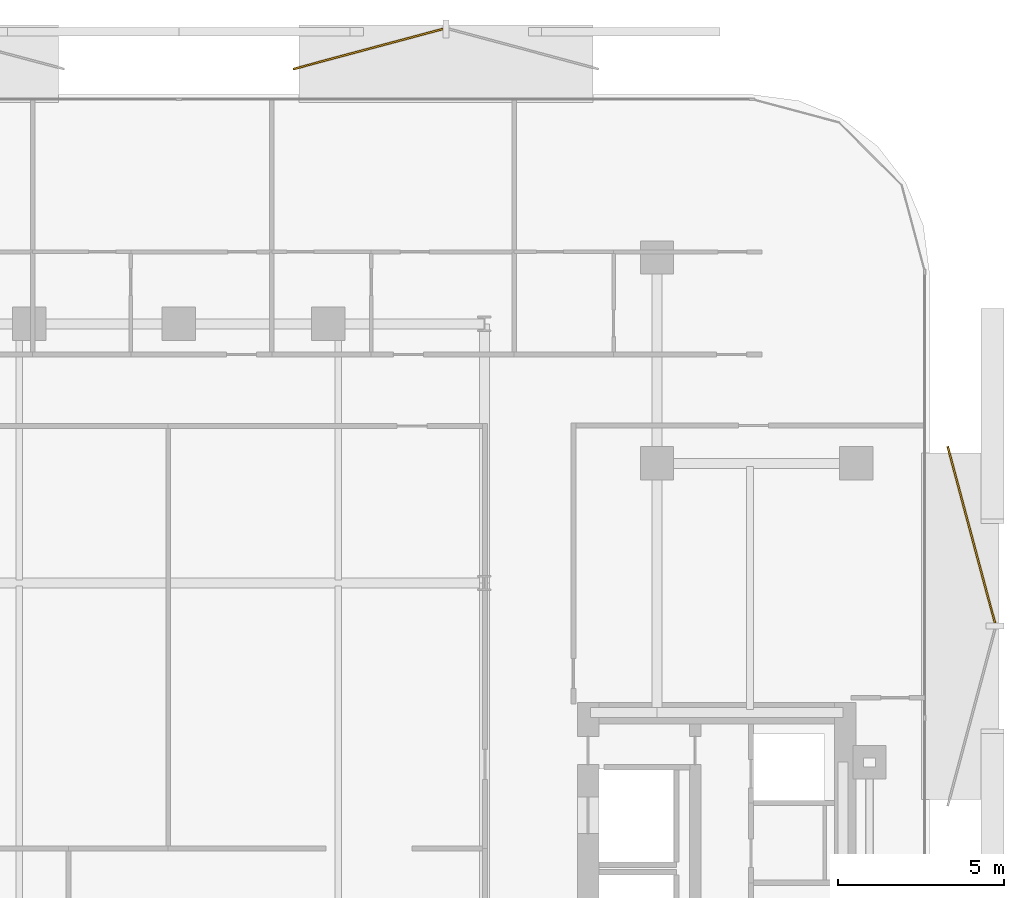
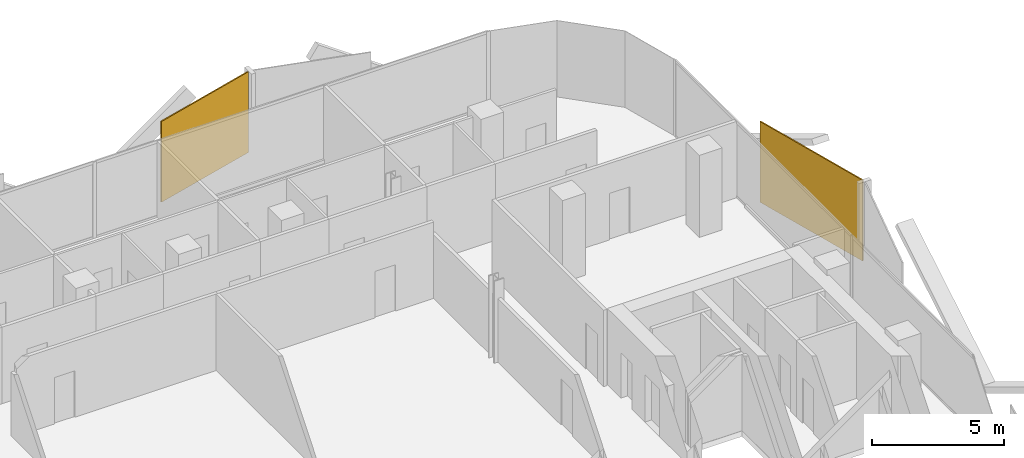
# One storey, part 17 of 17: 2 coverings.
"""IFC4 building model written with IfcOpenShell, lengths in metres."""

from ifc_helpers import new_model, si_unit, direction, frame, origin, origin_2d, place, context, subcontext, project, spatial, rectangle, extrude, material, layer, layer_set, type_object, element, save


model = new_model("IFC4")

# Units and contexts
model_context = context("Model", 3, precision=1e-05, world=origin(), true_north=direction((0.0, 1.0)))
body_context = subcontext(model_context, "Body", "Model", "MODEL_VIEW")
ifc_project = project(units=[si_unit("LENGTHUNIT", "METRE"), si_unit("AREAUNIT", "SQUARE_METRE"), si_unit("VOLUMEUNIT", "CUBIC_METRE"), si_unit("PLANEANGLEUNIT", "RADIAN"), si_unit("MASSUNIT", "GRAM", prefix="KILO")], contexts=[model_context])

# Site, building, storey
site_placement = place(None, origin())
site = spatial("IfcSite", under=ifc_project, at=site_placement, CompositionType="ELEMENT")
building_placement = place(site_placement, origin())
building = spatial("IfcBuilding", under=site, at=building_placement, Name="Khairoan Windgate Tower", CompositionType="ELEMENT")
storey_placement = place(building_placement, frame((0.0, 0.0, 195.39990234375)))
storey = spatial("IfcBuildingStorey", under=building, at=storey_placement, Name="L45", CompositionType="ELEMENT", Elevation=195.39990234375)

# Coverings
ifc_material = material(Name="Anodised Bronze Aluminium 6063-T6", Category="aluminium")
ifc_layer = layer(ifc_material, 0.054931640625, Name="Anodised Bronze Aluminium 6063-T6")
ifc_layer_set = layer_set([ifc_layer], Name="Anodised Bronze Aluminium 6063-T6")
covering_type = type_object("IfcCoveringType", Name="Perforated Bronze-Ceramic Folded Solar Screen Cladding BSC-1", PredefinedType="CLADDING", material=ifc_layer_set)
covering_1_placement = place(storey_placement, frame((5.701904296875, 26.876220703125, -0.10009765625), z_axis=(0.0, 0.0, 1.0), x_axis=(0.965925826289, 0.258819045103, 0.0)))
element("IfcCovering", 1, at=covering_1_placement, inside=storey, type_object=covering_type, Name="L45 Folded Bronze Solar Screen Facet 302L", PredefinedType="CLADDING", context=body_context, shape_type="SweptSolid", body=[
    extrude(rectangle(XDim=4.666015625, YDim=0.054931640625, at=origin_2d()), origin(), (0.0, 0.0, 1.0), 3.739990234375),
])
covering_2_placement = place(storey_placement, frame((23.8671875, 12.2451171875, -0.10009765625), z_axis=(0.0, 0.0, 1.0), x_axis=(0.258819045103, -0.965925826289, 0.0)))
element("IfcCovering", 2, at=covering_2_placement, inside=storey, type_object=covering_type, Name="L45 Folded Bronze Solar Screen Facet 303L", PredefinedType="CLADDING", context=body_context, shape_type="SweptSolid", body=[
    extrude(rectangle(XDim=5.507080078125, YDim=0.054931640625, at=origin_2d()), origin(), (0.0, 0.0, 1.0), 3.739990234375),
])

save(model, "model.ifc")
